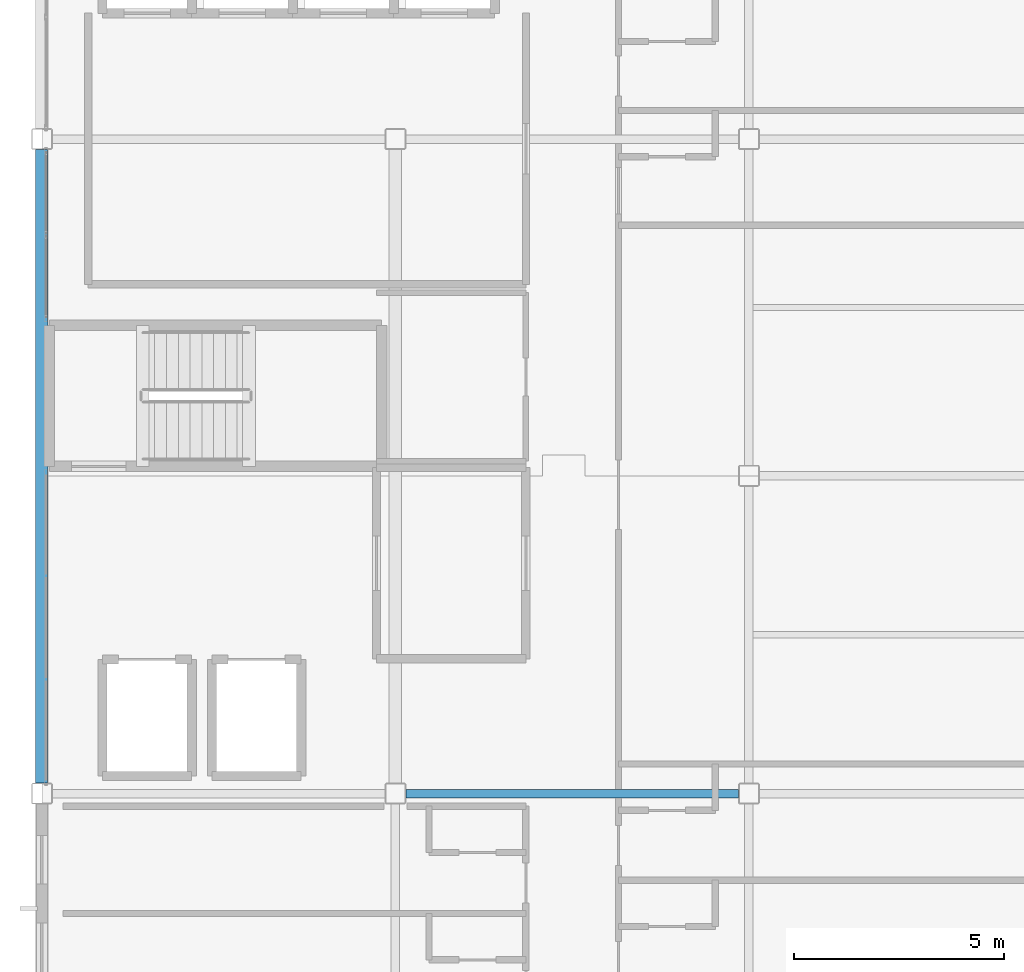
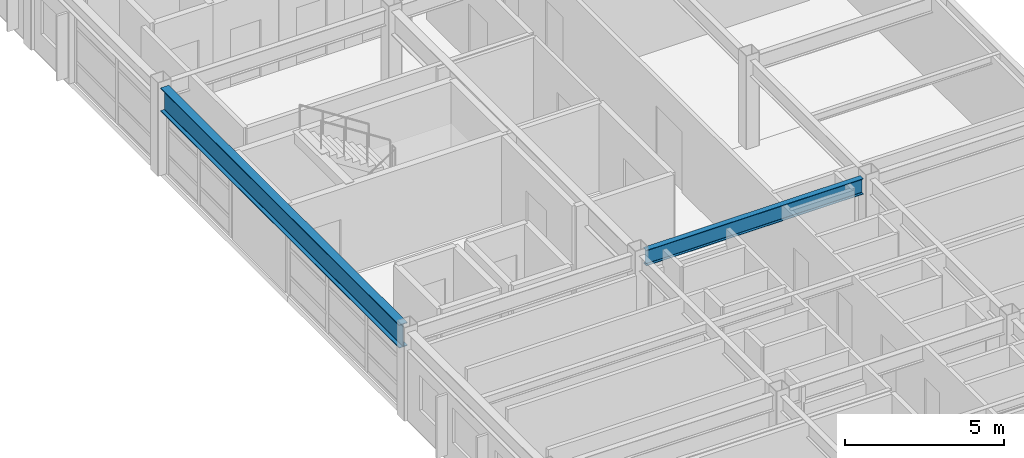
# One storey, part 11 of 35: 2 beams.
"""IFC4 building model written with IfcOpenShell, lengths in metres."""

from ifc_helpers import new_model, si_unit, direction, frame, origin, origin_2d, place, context, subcontext, project, spatial, i_section, extrude, material, material_profile, profile_set, type_object, element, save


model = new_model("IFC4")

# Units and contexts
model_context = context("Model", 3, precision=1e-05, world=origin(), true_north=direction((0.0, 1.0)))
body_context = subcontext(model_context, "Body", "Model", "MODEL_VIEW")
ifc_project = project(units=[si_unit("LENGTHUNIT", "METRE"), si_unit("AREAUNIT", "SQUARE_METRE"), si_unit("VOLUMEUNIT", "CUBIC_METRE"), si_unit("PLANEANGLEUNIT", "RADIAN"), si_unit("MASSUNIT", "GRAM", prefix="KILO")], contexts=[model_context])

# Site, building, storey
site_placement = place(None, origin())
site = spatial("IfcSite", under=ifc_project, at=site_placement, CompositionType="ELEMENT")
building_placement = place(site_placement, origin())
building = spatial("IfcBuilding", under=site, at=building_placement, Name="Kazehara Bluff Congress Hotel", CompositionType="ELEMENT")
storey_placement = place(building_placement, frame((0.0, 0.0, 35.39990234375)))
storey = spatial("IfcBuildingStorey", under=building, at=storey_placement, Name="L08", CompositionType="ELEMENT", Elevation=35.39990234375)

# Beams
ifc_material_1 = material(Name="Steel SN490B", Category="steel")
ifc_material_profile_1 = material_profile(ifc_material_1, i_section(OverallWidth=0.199951171875, OverallDepth=0.60009765625, WebThickness=0.010986328125, FlangeThickness=0.01708984375, FilletRadius=0.012939453125, at=origin_2d()))
ifc_profile_set_1 = profile_set([ifc_material_profile_1], Name="Steel SN490B")
beam_type_1 = type_object("IfcBeamType", Name="TP-G-02", PredefinedType="BEAM", material=ifc_profile_set_1)
beam_1_placement = place(storey_placement, frame((152.35009765625, 40.89990234375, 3.080078125), z_axis=(1.0, 0.0, 0.0), x_axis=(0.0, 1.0, 0.0)))
element("IfcBeam", 1, at=beam_1_placement, inside=storey, type_object=beam_type_1, Name="L08 girder G-02 49", PredefinedType="BEAM", context=body_context, shape_type="SweptSolid", body=[
    extrude(i_section(OverallWidth=0.199951171875, OverallDepth=0.60009765625, WebThickness=0.010986328125, FlangeThickness=0.01708984375, FilletRadius=0.012939453125, at=origin_2d()), origin(), (0.0, 0.0, 1.0), 7.89990234375),
])
ifc_material_2 = material(Name="Steel SN490B", Category="steel")
ifc_material_profile_2 = material_profile(ifc_material_2, i_section(OverallWidth=0.300048828125, OverallDepth=0.89990234375, WebThickness=0.01611328125, FlangeThickness=0.028076171875, FilletRadius=0.01806640625, at=origin_2d()))
ifc_profile_set_2 = profile_set([ifc_material_profile_2], Name="Steel SN490B")
beam_type_2 = type_object("IfcBeamType", Name="TP-G-08", PredefinedType="BEAM", material=ifc_profile_set_2)
beam_2_placement = place(storey_placement, frame((143.699951171875, 41.14990234375, 2.93017578125), z_axis=(0.0, 1.0, 0.0), x_axis=(-1.0, 0.0, 0.0)))
element("IfcBeam", 2, at=beam_2_placement, inside=storey, type_object=beam_type_2, Name="L08 girder G-08 5", PredefinedType="BEAM", context=body_context, shape_type="SweptSolid", body=[
    extrude(i_section(OverallWidth=0.300048828125, OverallDepth=0.89990234375, WebThickness=0.01611328125, FlangeThickness=0.028076171875, FilletRadius=0.01806640625, at=origin_2d()), origin(), (0.0, 0.0, 1.0), 15.050048828125),
])

save(model, "model.ifc")
